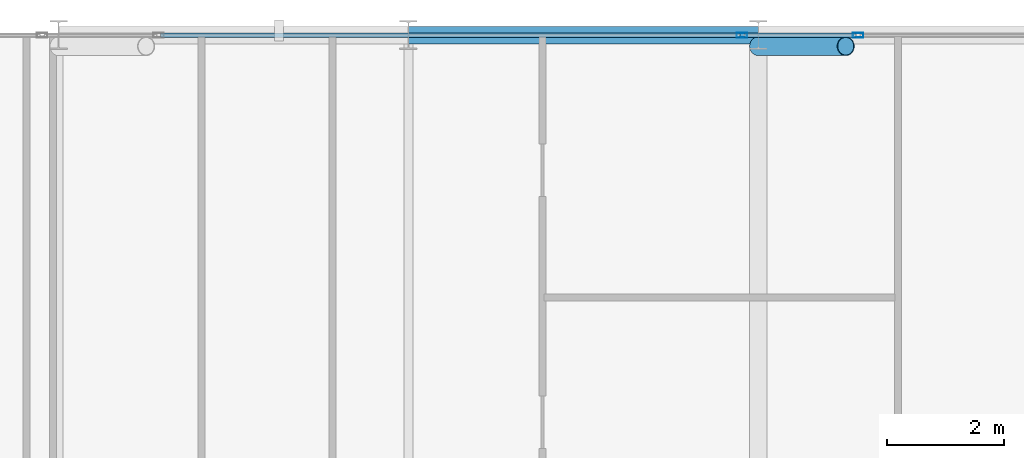
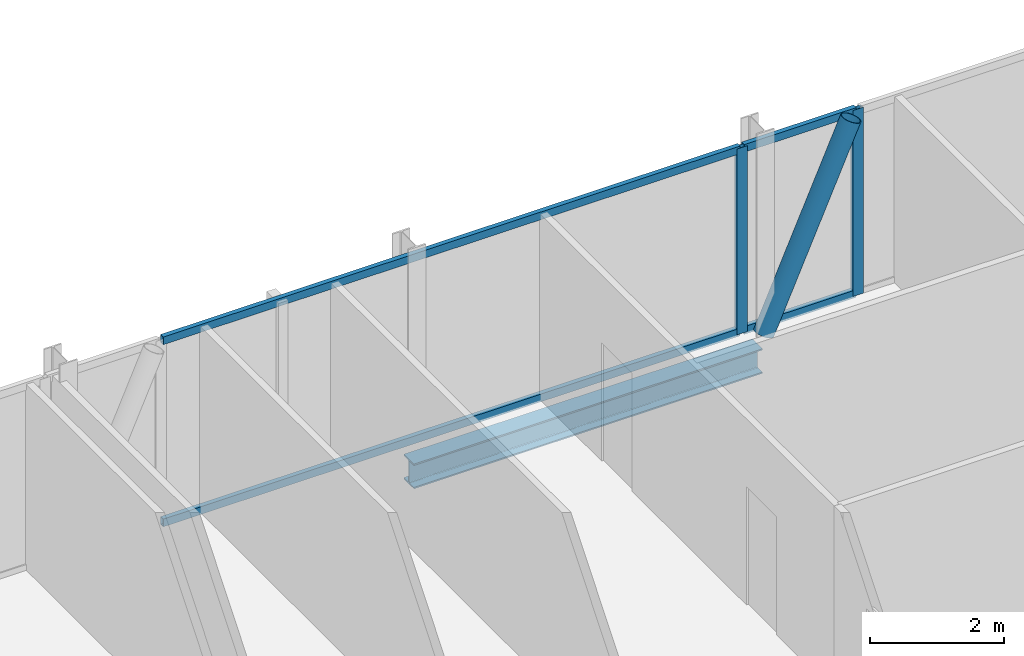
# One storey, part 18 of 31: 7 members, 1 beam, 2 elements without a shape of their own.
"""IFC4 building model written with IfcOpenShell, lengths in metres."""

from ifc_helpers import new_model, si_unit, direction, frame, origin, origin_2d, place, context, subcontext, project, spatial, hollow_rectangle, hollow_circle, i_section, extrude, material, layer, layer_set, material_profile, profile_set, type_object, element, aggregate, save


model = new_model("IFC4")

# Units and contexts
model_context = context("Model", 3, precision=1e-05, world=origin(), true_north=direction((0.0, 1.0)))
body_context = subcontext(model_context, "Body", "Model", "MODEL_VIEW")
ifc_project = project(units=[si_unit("LENGTHUNIT", "METRE"), si_unit("AREAUNIT", "SQUARE_METRE"), si_unit("VOLUMEUNIT", "CUBIC_METRE"), si_unit("PLANEANGLEUNIT", "RADIAN"), si_unit("MASSUNIT", "GRAM", prefix="KILO")], contexts=[model_context])

# Site, building, storey
site_placement = place(None, origin())
site = spatial("IfcSite", under=ifc_project, at=site_placement, CompositionType="ELEMENT")
building_placement = place(site_placement, origin())
building = spatial("IfcBuilding", under=site, at=building_placement, Name="Keshet Zoharim Tower", CompositionType="ELEMENT")
storey_placement = place(building_placement, frame((0.0, 0.0, 133.5)))
storey = spatial("IfcBuildingStorey", under=building, at=storey_placement, Name="L32", CompositionType="ELEMENT", Elevation=133.5)

# Beam
ifc_material_1 = material(Name="Steel S355", Category="steel")
ifc_material_profile_1 = material_profile(ifc_material_1, i_section(OverallWidth=0.300048828125, OverallDepth=0.449951171875, WebThickness=0.013916015625, FlangeThickness=0.02587890625, FilletRadius=0.027099609375, at=origin_2d()), Name="HEB450")
ifc_profile_set_1 = profile_set([ifc_material_profile_1], Name="Steel S355")
beam_type = type_object("IfcBeamType", Name="BM-WEB-HB450", PredefinedType="BEAM", material=ifc_profile_set_1)
beam_placement = place(storey_placement, frame((27.0, 53.89990234375, -0.5400390625), z_axis=(1.0, 0.0, 0.0), x_axis=(0.0, 1.0, 0.0)))
element("IfcBeam", 1, at=beam_placement, inside=storey, type_object=beam_type, Name="L32 Primary Girder X-021", PredefinedType="BEAM", context=body_context, shape_type="SweptSolid", body=[
    extrude(i_section(OverallWidth=0.300048828125, OverallDepth=0.449951171875, WebThickness=0.013916015625, FlangeThickness=0.02587890625, FilletRadius=0.027099609375, at=origin_2d()), origin(), (0.0, 0.0, 1.0), 6.0),
])

# Curtain wall, member
ifc_material_2 = material(Name="Aluminium 6063-T6", Category="aluminium")
ifc_layer = layer(ifc_material_2, 0.159912109375)
ifc_layer_set = layer_set([ifc_layer], Name="Aluminium 6063-T6")
curtain_wall_type = type_object("IfcCurtainWallType", Name="CW-SYS-03", PredefinedType="NOTDEFINED", material=ifc_layer_set)
curtain_wall_1_placement = place(storey_placement, origin())
curtain_wall_1 = element("IfcCurtainWall", 2, at=curtain_wall_1_placement, inside=storey, type_object=curtain_wall_type, Name="L32 Unitised Curtain Wall 13 Part 3", PredefinedType="NOTDEFINED")
ifc_material_profile_2 = material_profile(ifc_material_2, hollow_rectangle(XDim=0.080078125, YDim=0.179931640625, WallThickness=0.00439453125, at=origin_2d()), Name="MUL-80x180")
ifc_profile_set_2 = profile_set([ifc_material_profile_2], Name="Aluminium 6063-T6")
member_type_1 = type_object("IfcMemberType", Name="CWM-M18", PredefinedType="MULLION", material=ifc_profile_set_2)
member_1_placement = place(storey_placement, frame((32.716796875, 53.89990234375, 0.0), z_axis=(0.0, 0.0, 1.0), x_axis=(0.0, 1.0, 0.0)))
member_1 = element("IfcMember", 3, at=member_1_placement, type_object=member_type_1, Name="CW-03 mullion 2", PredefinedType="MULLION", context=body_context, shape_type="SweptSolid", body=[
    extrude(hollow_rectangle(XDim=0.080078125, YDim=0.179931640625, WallThickness=0.00439453125, at=origin_2d()), origin(), (0.0, 0.0, 1.0), 3.385009765625),
])

curtain_wall_2_placement = place(storey_placement, origin())
curtain_wall_2 = element("IfcCurtainWall", 4, at=curtain_wall_2_placement, inside=storey, type_object=curtain_wall_type, Name="L32 Unitised Curtain Wall 13 Part 4", PredefinedType="NOTDEFINED")
member_2_placement = place(storey_placement, frame((34.713134765625, 53.89990234375, 0.0), z_axis=(0.0, 0.0, 1.0), x_axis=(0.0, 1.0, 0.0)))
member_2 = element("IfcMember", 5, at=member_2_placement, type_object=member_type_1, Name="CW-03 mullion 2", PredefinedType="MULLION", context=body_context, shape_type="SweptSolid", body=[
    extrude(hollow_rectangle(XDim=0.080078125, YDim=0.179931640625, WallThickness=0.00439453125, at=origin_2d()), origin(), (0.0, 0.0, 1.0), 3.385009765625),
])

# Member
ifc_material_profile_3 = material_profile(ifc_material_2, hollow_rectangle(XDim=0.080078125, YDim=0.139892578125, WallThickness=0.00390625, at=origin_2d()), Name="TRN-80x140")
ifc_profile_set_3 = profile_set([ifc_material_profile_3], Name="Aluminium 6063-T6")
member_type_2 = type_object("IfcMemberType", Name="CWT-T14", PredefinedType="USERDEFINED", material=ifc_profile_set_3)
member_3_placement = place(storey_placement, frame((22.748046875, 53.89990234375, 0.034912109375), z_axis=(1.0, 0.0, 0.0), x_axis=(0.0, 1.0, 0.0)))
member_3 = element("IfcMember", 6, at=member_3_placement, type_object=member_type_2, Name="CW-03 transom 1.1", ObjectType="TRANSOM", PredefinedType="USERDEFINED", context=body_context, shape_type="SweptSolid", body=[
    extrude(hollow_rectangle(XDim=0.080078125, YDim=0.139892578125, WallThickness=0.00390625, at=origin_2d()), origin(), (0.0, 0.0, 1.0), 9.933837890625),
])

member_4_placement = place(storey_placement, frame((22.748046875, 53.89990234375, 3.35009765625), z_axis=(1.0, 0.0, 0.0), x_axis=(0.0, 1.0, 0.0)))
member_4 = element("IfcMember", 7, at=member_4_placement, type_object=member_type_2, Name="CW-03 transom 1.2", ObjectType="TRANSOM", PredefinedType="USERDEFINED", context=body_context, shape_type="SweptSolid", body=[
    extrude(hollow_rectangle(XDim=0.080078125, YDim=0.139892578125, WallThickness=0.00390625, at=origin_2d()), origin(), (0.0, 0.0, 1.0), 9.933837890625),
])

aggregate(curtain_wall_1, [member_1, member_3, member_4])

member_5_placement = place(storey_placement, frame((32.751953125, 53.89990234375, 0.034912109375), z_axis=(1.0, 0.0, 0.0), x_axis=(0.0, 1.0, 0.0)))
member_5 = element("IfcMember", 8, at=member_5_placement, type_object=member_type_2, Name="CW-03 transom 1.1", ObjectType="TRANSOM", PredefinedType="USERDEFINED", context=body_context, shape_type="SweptSolid", body=[
    extrude(hollow_rectangle(XDim=0.080078125, YDim=0.139892578125, WallThickness=0.00390625, at=origin_2d()), origin(), (0.0, 0.0, 1.0), 1.926025390625),
])

member_6_placement = place(storey_placement, frame((32.751953125, 53.89990234375, 3.35009765625), z_axis=(1.0, 0.0, 0.0), x_axis=(0.0, 1.0, 0.0)))
member_6 = element("IfcMember", 9, at=member_6_placement, type_object=member_type_2, Name="CW-03 transom 1.2", ObjectType="TRANSOM", PredefinedType="USERDEFINED", context=body_context, shape_type="SweptSolid", body=[
    extrude(hollow_rectangle(XDim=0.080078125, YDim=0.139892578125, WallThickness=0.00390625, at=origin_2d()), origin(), (0.0, 0.0, 1.0), 1.926025390625),
])

aggregate(curtain_wall_2, [member_2, member_5, member_6])

ifc_material_profile_4 = material_profile(ifc_material_1, hollow_circle(Radius=0.161865234375, WallThickness=0.012451171875, at=origin_2d()), Name="CHS323x12.5")
ifc_profile_set_4 = profile_set([ifc_material_profile_4], Name="Steel S355")
member_type_3 = type_object("IfcMemberType", Name="MB-BR-C323", PredefinedType="BRACE", material=ifc_profile_set_4)
member_7_placement = place(storey_placement, frame((33.0, 53.7099609375, 0.0), z_axis=(0.405134846829, 0.0, 0.91425694194), x_axis=(0.0, 1.0, 0.0)))
element("IfcMember", 10, at=member_7_placement, inside=storey, type_object=member_type_3, Name="L32 Perimeter Tube Brace 03", PredefinedType="BRACE", context=body_context, shape_type="SweptSolid", body=[
    extrude(hollow_circle(Radius=0.161865234375, WallThickness=0.012451171875, at=origin_2d()), origin(), (0.0, 0.0, 1.0), 3.702392578125),
])

save(model, "model.ifc")
